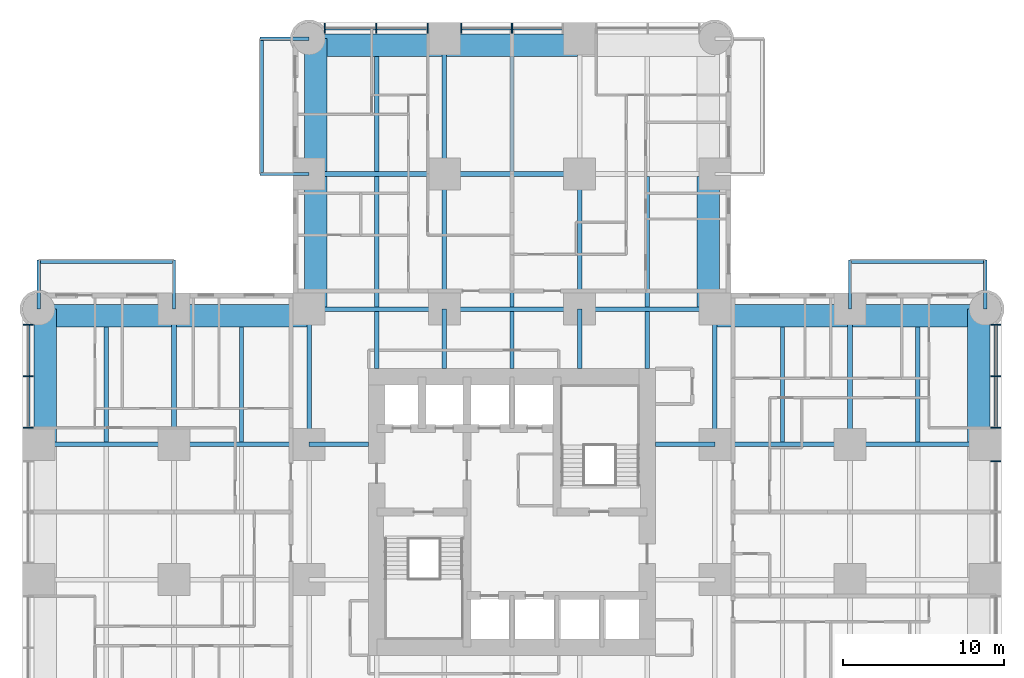
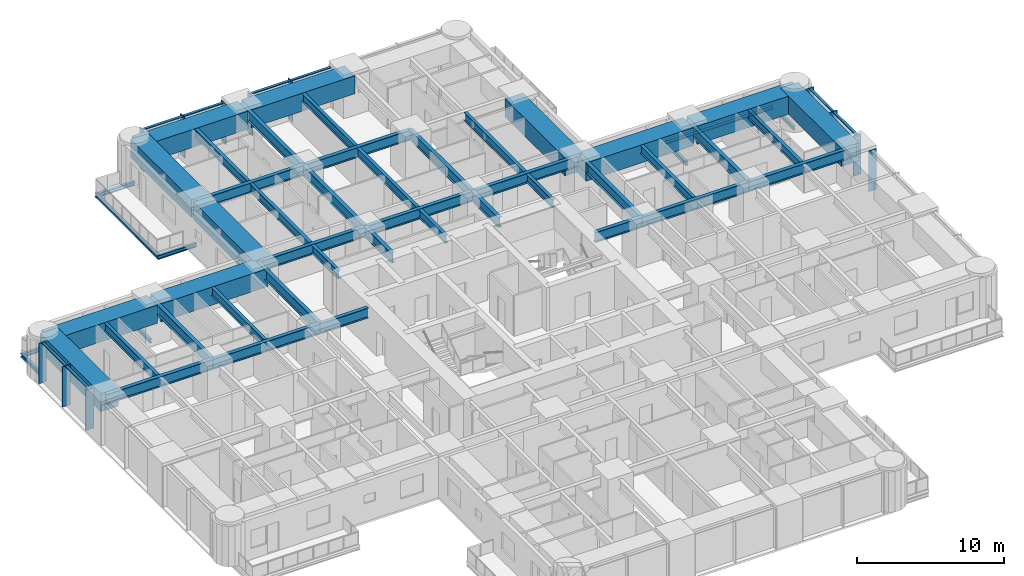
# One storey, part 4 of 17: 52 beams, 20 members, 3 elements without a shape of their own.
"""IFC4 building model written with IfcOpenShell, lengths in metres."""

from ifc_helpers import new_model, si_unit, direction, frame, origin, origin_2d, place, context, subcontext, project, spatial, rectangle, i_section, extrude, material, material_profile, profile_set, type_object, element, aggregate, save


model = new_model("IFC4")

# Units and contexts
model_context = context("Model", 3, precision=1e-05, world=origin(), true_north=direction((0.0, 1.0)))
body_context = subcontext(model_context, "Body", "Model", "MODEL_VIEW")
ifc_project = project(units=[si_unit("LENGTHUNIT", "METRE"), si_unit("AREAUNIT", "SQUARE_METRE"), si_unit("VOLUMEUNIT", "CUBIC_METRE"), si_unit("PLANEANGLEUNIT", "RADIAN"), si_unit("MASSUNIT", "GRAM", prefix="KILO")], contexts=[model_context])

# Site, building, storey
site_placement = place(None, origin())
site = spatial("IfcSite", under=ifc_project, at=site_placement, CompositionType="ELEMENT")
building_placement = place(site_placement, origin())
building = spatial("IfcBuilding", under=site, at=building_placement, Name="Torre Alcanfor", CompositionType="ELEMENT")
storey_placement = place(building_placement, frame((0.0, 0.0, 99.300048828125)))
storey = spatial("IfcBuildingStorey", under=building, at=storey_placement, Name="L25", CompositionType="ELEMENT", Elevation=99.300048828125)

# Beams
ifc_material_1 = material(Name="Steel ASTM A992 Grade 50", Category="steel")
ifc_material_profile_1 = material_profile(ifc_material_1, i_section(OverallWidth=0.205322265625, OverallDepth=0.309814453125, WebThickness=0.00927734375, FlangeThickness=0.016357421875, at=origin_2d()), Name="W12x50")
ifc_profile_set_1 = profile_set([ifc_material_profile_1], Name="Steel ASTM A992 Grade 50")
beam_type_1 = type_object("IfcBeamType", Name="Balcony cantilever beam W12x50", PredefinedType="BEAM", material=ifc_profile_set_1)
for number, where, z_axis, x_axis, name in (
    (1, (16.800048828125, 50.39990234375, -0.35498046875), (-1.0, 0.0, 0.0), (0.0, -1.0, 0.0), "Balcony cantilever beam L25-N1 1"),
    (2, (16.800048828125, 58.800048828125, -0.35498046875), (-1.0, 0.0, 0.0), (0.0, -1.0, 0.0), "Balcony cantilever beam L25-N1 2"),
    (3, (50.39990234375, 42.0, -0.35498046875), (0.0, 1.0, 0.0), (-1.0, 0.0, 0.0), "Balcony cantilever beam L25-E1 1"),
    (4, (58.800048828125, 42.0, -0.35498046875), (0.0, 1.0, 0.0), (-1.0, 0.0, 0.0), "Balcony cantilever beam L25-E1 2"),
    (5, (8.39990234375, 42.0, -0.35498046875), (0.0, 1.0, 0.0), (-1.0, 0.0, 0.0), "Balcony cantilever beam L25-W2 1"),
    (6, (0.0, 42.0, -0.35498046875), (0.0, 1.0, 0.0), (-1.0, 0.0, 0.0), "Balcony cantilever beam L25-W2 2"),
):
    element("IfcBeam", number, at=place(storey_placement, frame(where, z_axis=z_axis, x_axis=x_axis)), inside=storey, type_object=beam_type_1, Name=name, PredefinedType="BEAM", context=body_context, shape_type="SweptSolid", body=[
        extrude(i_section(OverallWidth=0.205322265625, OverallDepth=0.309814453125, WebThickness=0.00927734375, FlangeThickness=0.016357421875, at=origin_2d()), origin(), (0.0, 0.0, 1.0), 3.050048828125),
    ])
ifc_material_2 = material(Name="Steel ASTM A992 Grade 50", Category="steel")
ifc_material_profile_2 = material_profile(ifc_material_2, i_section(OverallWidth=0.203369140625, OverallDepth=0.30224609375, WebThickness=0.007568359375, FlangeThickness=0.01318359375, at=origin_2d()), Name="W12x40")
ifc_profile_set_2 = profile_set([ifc_material_profile_2], Name="Steel ASTM A992 Grade 50")
beam_type_2 = type_object("IfcBeamType", Name="Balcony edge trimmer W12x40", PredefinedType="BEAM", material=ifc_profile_set_2)
for number, where, z_axis, x_axis, name in (
    (7, (13.851806640625, 50.39990234375, -0.35107421875), (0.0, 1.0, 0.0), (-1.0, 0.0, 0.0), "Balcony edge trimmer L25-N1"),
    (8, (50.39990234375, 44.9482421875, -0.35107421875), (1.0, 0.0, 0.0), (0.0, 1.0, 0.0), "Balcony edge trimmer L25-E1"),
):
    element("IfcBeam", number, at=place(storey_placement, frame(where, z_axis=z_axis, x_axis=x_axis)), inside=storey, type_object=beam_type_2, Name=name, PredefinedType="BEAM", context=body_context, shape_type="SweptSolid", body=[
        extrude(i_section(OverallWidth=0.203369140625, OverallDepth=0.30224609375, WebThickness=0.007568359375, FlangeThickness=0.01318359375, at=origin_2d()), origin(), (0.0, 0.0, 1.0), 8.400146484375),
    ])
beam_1_placement = place(storey_placement, frame((8.39990234375, 44.9482421875, -0.35107421875), z_axis=(-1.0, 0.0, 0.0), x_axis=(0.0, -1.0, 0.0)))
element("IfcBeam", 9, at=beam_1_placement, inside=storey, type_object=beam_type_2, Name="Balcony edge trimmer L25-W2", PredefinedType="BEAM", context=body_context, shape_type="SweptSolid", body=[
    extrude(i_section(OverallWidth=0.203369140625, OverallDepth=0.30224609375, WebThickness=0.007568359375, FlangeThickness=0.01318359375, at=origin_2d()), origin(), (0.0, 0.0, 1.0), 8.39990234375),
])

# Curtain wall, members
ifc_material_3 = material(Name="Aluminium and glass", Category="aluminium")
curtain_wall_type = type_object("IfcCurtainWallType", Name="CW-A unitised apartment glazing with vertical FIN", PredefinedType="NOTDEFINED", material=ifc_material_3)
curtain_wall_1_placement = place(storey_placement, origin())
curtain_wall_1 = element("IfcCurtainWall", 10, at=curtain_wall_1_placement, inside=storey, type_object=curtain_wall_type, Name="Curtain wall CW-A L25 2", PredefinedType="NOTDEFINED")
ifc_material_4 = material(Name="Bronze anodised aluminium", Category="aluminium")
ifc_material_profile_3 = material_profile(ifc_material_4, rectangle(XDim=0.60009765625, YDim=0.06494140625, at=origin_2d()), Name="CW-A mullion 65x600")
ifc_profile_set_3 = profile_set([ifc_material_profile_3], Name="Bronze anodised aluminium")
member_type_1 = type_object("IfcMemberType", Name="CW-A mullion with vertical FIN 65x600", PredefinedType="MULLION", material=ifc_profile_set_3)
member_1_placement = place(storey_placement, frame((-0.64990234375, 41.025390625, 0.0), z_axis=(0.0, 0.0, 1.0), x_axis=(1.0, 0.0, 0.0)))
member_1 = element("IfcMember", 11, at=member_1_placement, type_object=member_type_1, Name="CW-A mullion 1.1", PredefinedType="MULLION", context=body_context, shape_type="SweptSolid", body=[
    extrude(rectangle(XDim=0.60009765625, YDim=0.06494140625, at=origin_2d()), origin(), (0.0, 0.0, 1.0), 3.349853515625),
])
member_2_placement = place(storey_placement, frame((-0.64990234375, 37.83154296875, 0.0), z_axis=(0.0, 0.0, 1.0), x_axis=(1.0, 0.0, 0.0)))
member_2 = element("IfcMember", 12, at=member_2_placement, type_object=member_type_1, Name="CW-A mullion 1.2", PredefinedType="MULLION", context=body_context, shape_type="SweptSolid", body=[
    extrude(rectangle(XDim=0.60009765625, YDim=0.06494140625, at=origin_2d()), origin(), (0.0, 0.0, 1.0), 3.349853515625),
])
member_3_placement = place(storey_placement, frame((-0.64990234375, 34.637451171875, 0.0), z_axis=(0.0, 0.0, 1.0), x_axis=(1.0, 0.0, 0.0)))
member_3 = element("IfcMember", 13, at=member_3_placement, type_object=member_type_1, Name="CW-A mullion 1.3", PredefinedType="MULLION", context=body_context, shape_type="SweptSolid", body=[
    extrude(rectangle(XDim=0.60009765625, YDim=0.06494140625, at=origin_2d()), origin(), (0.0, 0.0, 1.0), 3.349853515625),
])

curtain_wall_2_placement = place(storey_placement, origin())
curtain_wall_2 = element("IfcCurtainWall", 14, at=curtain_wall_2_placement, inside=storey, type_object=curtain_wall_type, Name="Curtain wall CW-A L25 8", PredefinedType="NOTDEFINED")
member_4_placement = place(storey_placement, frame((59.449951171875, 32.5625, 0.0), z_axis=(0.0, 0.0, 1.0), x_axis=(-1.0, 0.0, 0.0)))
member_4 = element("IfcMember", 15, at=member_4_placement, type_object=member_type_1, Name="CW-A mullion 2.3", PredefinedType="MULLION", context=body_context, shape_type="SweptSolid", body=[
    extrude(rectangle(XDim=0.60009765625, YDim=0.06494140625, at=origin_2d()), origin(), (0.0, 0.0, 1.0), 3.349853515625),
])
member_5_placement = place(storey_placement, frame((59.449951171875, 34.637451171875, 0.0), z_axis=(0.0, 0.0, 1.0), x_axis=(-1.0, 0.0, 0.0)))
member_5 = element("IfcMember", 16, at=member_5_placement, type_object=member_type_1, Name="CW-A mullion 3.1", PredefinedType="MULLION", context=body_context, shape_type="SweptSolid", body=[
    extrude(rectangle(XDim=0.60009765625, YDim=0.06494140625, at=origin_2d()), origin(), (0.0, 0.0, 1.0), 3.349853515625),
])
member_6_placement = place(storey_placement, frame((59.449951171875, 37.83154296875, 0.0), z_axis=(0.0, 0.0, 1.0), x_axis=(-1.0, 0.0, 0.0)))
member_6 = element("IfcMember", 17, at=member_6_placement, type_object=member_type_1, Name="CW-A mullion 3.2", PredefinedType="MULLION", context=body_context, shape_type="SweptSolid", body=[
    extrude(rectangle(XDim=0.60009765625, YDim=0.06494140625, at=origin_2d()), origin(), (0.0, 0.0, 1.0), 3.349853515625),
])
member_7_placement = place(storey_placement, frame((59.449951171875, 41.025390625, 0.0), z_axis=(0.0, 0.0, 1.0), x_axis=(-1.0, 0.0, 0.0)))
member_7 = element("IfcMember", 18, at=member_7_placement, type_object=member_type_1, Name="CW-A mullion 3.3", PredefinedType="MULLION", context=body_context, shape_type="SweptSolid", body=[
    extrude(rectangle(XDim=0.60009765625, YDim=0.06494140625, at=origin_2d()), origin(), (0.0, 0.0, 1.0), 3.349853515625),
])

curtain_wall_3_placement = place(storey_placement, origin())
curtain_wall_3 = element("IfcCurtainWall", 19, at=curtain_wall_3_placement, inside=storey, type_object=curtain_wall_type, Name="Curtain wall CW-A L25 11", PredefinedType="NOTDEFINED")
member_8_placement = place(storey_placement, frame((29.39990234375, 59.449951171875, 0.0), z_axis=(0.0, 0.0, 1.0), x_axis=(0.0, -1.0, 0.0)))
member_8 = element("IfcMember", 20, at=member_8_placement, type_object=member_type_1, Name="CW-A mullion 2.2", PredefinedType="MULLION", context=body_context, shape_type="SweptSolid", body=[
    extrude(rectangle(XDim=0.60009765625, YDim=0.06494140625, at=origin_2d()), origin(), (0.0, 0.0, 1.0), 3.349853515625),
])
member_9_placement = place(storey_placement, frame((26.237548828125, 59.449951171875, 0.0), z_axis=(0.0, 0.0, 1.0), x_axis=(0.0, -1.0, 0.0)))
member_9 = element("IfcMember", 21, at=member_9_placement, type_object=member_type_1, Name="CW-A mullion 2.3", PredefinedType="MULLION", context=body_context, shape_type="SweptSolid", body=[
    extrude(rectangle(XDim=0.60009765625, YDim=0.06494140625, at=origin_2d()), origin(), (0.0, 0.0, 1.0), 3.349853515625),
])
member_10_placement = place(storey_placement, frame((24.16259765625, 59.449951171875, 0.0), z_axis=(0.0, 0.0, 1.0), x_axis=(0.0, -1.0, 0.0)))
member_10 = element("IfcMember", 22, at=member_10_placement, type_object=member_type_1, Name="CW-A mullion 3.1", PredefinedType="MULLION", context=body_context, shape_type="SweptSolid", body=[
    extrude(rectangle(XDim=0.60009765625, YDim=0.06494140625, at=origin_2d()), origin(), (0.0, 0.0, 1.0), 3.349853515625),
])
member_11_placement = place(storey_placement, frame((20.968505859375, 59.449951171875, 0.0), z_axis=(0.0, 0.0, 1.0), x_axis=(0.0, -1.0, 0.0)))
member_11 = element("IfcMember", 23, at=member_11_placement, type_object=member_type_1, Name="CW-A mullion 3.2", PredefinedType="MULLION", context=body_context, shape_type="SweptSolid", body=[
    extrude(rectangle(XDim=0.60009765625, YDim=0.06494140625, at=origin_2d()), origin(), (0.0, 0.0, 1.0), 3.349853515625),
])
member_12_placement = place(storey_placement, frame((17.7744140625, 59.449951171875, 0.0), z_axis=(0.0, 0.0, 1.0), x_axis=(0.0, -1.0, 0.0)))
member_12 = element("IfcMember", 24, at=member_12_placement, type_object=member_type_1, Name="CW-A mullion 3.3", PredefinedType="MULLION", context=body_context, shape_type="SweptSolid", body=[
    extrude(rectangle(XDim=0.60009765625, YDim=0.06494140625, at=origin_2d()), origin(), (0.0, 0.0, 1.0), 3.349853515625),
])

# Member
ifc_material_5 = material(Name="Extruded aluminium", Category="aluminium")
ifc_material_profile_4 = material_profile(ifc_material_5, rectangle(XDim=0.199951171875, YDim=0.06494140625, at=origin_2d()), Name="CW-A transom 200x65")
ifc_profile_set_4 = profile_set([ifc_material_profile_4], Name="Extruded aluminium")
member_type_2 = type_object("IfcMemberType", Name="CW-A transom 65x200", PredefinedType="USERDEFINED", material=ifc_profile_set_4)
member_13_placement = place(storey_placement, frame((-0.64990234375, 40.992919921875, 3.3173828125), z_axis=(0.0, -1.0, 0.0), x_axis=(1.0, 0.0, 0.0)))
member_13 = element("IfcMember", 25, at=member_13_placement, type_object=member_type_2, Name="CW-A transom 1.1.2", ObjectType="TRANSOM", PredefinedType="USERDEFINED", context=body_context, shape_type="SweptSolid", body=[
    extrude(rectangle(XDim=0.199951171875, YDim=0.06494140625, at=origin_2d()), origin(), (0.0, 0.0, 1.0), 3.12890625),
])

member_14_placement = place(storey_placement, frame((-0.64990234375, 37.799072265625, 3.3173828125), z_axis=(0.0, -1.0, 0.0), x_axis=(1.0, 0.0, 0.0)))
member_14 = element("IfcMember", 26, at=member_14_placement, type_object=member_type_2, Name="CW-A transom 1.2.2", ObjectType="TRANSOM", PredefinedType="USERDEFINED", context=body_context, shape_type="SweptSolid", body=[
    extrude(rectangle(XDim=0.199951171875, YDim=0.06494140625, at=origin_2d()), origin(), (0.0, 0.0, 1.0), 3.129150390625),
])

aggregate(curtain_wall_1, [member_1, member_2, member_3, member_13, member_14])

member_15_placement = place(storey_placement, frame((59.449951171875, 34.669921875, 3.3173828125), z_axis=(0.0, 1.0, 0.0), x_axis=(-1.0, 0.0, 0.0)))
member_15 = element("IfcMember", 27, at=member_15_placement, type_object=member_type_2, Name="CW-A transom 3.1.2", ObjectType="TRANSOM", PredefinedType="USERDEFINED", context=body_context, shape_type="SweptSolid", body=[
    extrude(rectangle(XDim=0.199951171875, YDim=0.06494140625, at=origin_2d()), origin(), (0.0, 0.0, 1.0), 3.129150390625),
])

member_16_placement = place(storey_placement, frame((59.449951171875, 37.864013671875, 3.3173828125), z_axis=(0.0, 1.0, 0.0), x_axis=(-1.0, 0.0, 0.0)))
member_16 = element("IfcMember", 28, at=member_16_placement, type_object=member_type_2, Name="CW-A transom 3.2.2", ObjectType="TRANSOM", PredefinedType="USERDEFINED", context=body_context, shape_type="SweptSolid", body=[
    extrude(rectangle(XDim=0.199951171875, YDim=0.06494140625, at=origin_2d()), origin(), (0.0, 0.0, 1.0), 3.12890625),
])

aggregate(curtain_wall_2, [member_4, member_5, member_6, member_7, member_15, member_16])

member_17_placement = place(storey_placement, frame((32.530029296875, 59.449951171875, 3.3173828125), z_axis=(-1.0, 0.0, 0.0), x_axis=(0.0, -1.0, 0.0)))
member_17 = element("IfcMember", 29, at=member_17_placement, type_object=member_type_2, Name="CW-A transom 2.1.2", ObjectType="TRANSOM", PredefinedType="USERDEFINED", context=body_context, shape_type="SweptSolid", body=[
    extrude(rectangle(XDim=0.199951171875, YDim=0.06494140625, at=origin_2d()), origin(), (0.0, 0.0, 1.0), 3.097412109375),
])

member_18_placement = place(storey_placement, frame((29.367431640625, 59.449951171875, 3.3173828125), z_axis=(-1.0, 0.0, 0.0), x_axis=(0.0, -1.0, 0.0)))
member_18 = element("IfcMember", 30, at=member_18_placement, type_object=member_type_2, Name="CW-A transom 2.2.2", ObjectType="TRANSOM", PredefinedType="USERDEFINED", context=body_context, shape_type="SweptSolid", body=[
    extrude(rectangle(XDim=0.199951171875, YDim=0.06494140625, at=origin_2d()), origin(), (0.0, 0.0, 1.0), 3.097412109375),
])

member_19_placement = place(storey_placement, frame((24.1298828125, 59.449951171875, 3.3173828125), z_axis=(-1.0, 0.0, 0.0), x_axis=(0.0, -1.0, 0.0)))
member_19 = element("IfcMember", 31, at=member_19_placement, type_object=member_type_2, Name="CW-A transom 3.1.2", ObjectType="TRANSOM", PredefinedType="USERDEFINED", context=body_context, shape_type="SweptSolid", body=[
    extrude(rectangle(XDim=0.199951171875, YDim=0.06494140625, at=origin_2d()), origin(), (0.0, 0.0, 1.0), 3.12890625),
])

member_20_placement = place(storey_placement, frame((20.93603515625, 59.449951171875, 3.3173828125), z_axis=(-1.0, 0.0, 0.0), x_axis=(0.0, -1.0, 0.0)))
member_20 = element("IfcMember", 32, at=member_20_placement, type_object=member_type_2, Name="CW-A transom 3.2.2", ObjectType="TRANSOM", PredefinedType="USERDEFINED", context=body_context, shape_type="SweptSolid", body=[
    extrude(rectangle(XDim=0.199951171875, YDim=0.06494140625, at=origin_2d()), origin(), (0.0, 0.0, 1.0), 3.129150390625),
])

aggregate(curtain_wall_3, [member_8, member_9, member_17, member_18, member_10, member_11, member_12, member_19, member_20])

# Beams
ifc_material_6 = material(Name="Steel ASTM A992 Grade 50", Category="steel")
ifc_material_profile_5 = material_profile(ifc_material_6, i_section(OverallWidth=0.2919921875, OverallDepth=0.8408203125, WebThickness=0.0146484375, FlangeThickness=0.021728515625, at=origin_2d()), Name="W33x130")
ifc_profile_set_5 = profile_set([ifc_material_profile_5], Name="Steel ASTM A992 Grade 50")
beam_type_3 = type_object("IfcBeamType", Name="Girder W33x130", PredefinedType="BEAM", material=ifc_profile_set_5)
beam_2_placement = place(storey_placement, frame((0.0, 33.60009765625, 2.9296875), z_axis=(1.0, 0.0, 0.0), x_axis=(0.0, 1.0, 0.0)))
element("IfcBeam", 33, at=beam_2_placement, inside=storey, type_object=beam_type_3, Name="Beam 1G-2G under L26", PredefinedType="BEAM", context=body_context, shape_type="SweptSolid", body=[
    extrude(i_section(OverallWidth=0.2919921875, OverallDepth=0.8408203125, WebThickness=0.0146484375, FlangeThickness=0.021728515625, at=origin_2d()), origin(), (0.0, 0.0, 1.0), 8.39990234375),
])
beam_3_placement = place(storey_placement, frame((8.39990234375, 33.60009765625, 2.9296875), z_axis=(1.0, 0.0, 0.0), x_axis=(0.0, 1.0, 0.0)))
element("IfcBeam", 34, at=beam_3_placement, inside=storey, type_object=beam_type_3, Name="Beam 2G-3G under L26", PredefinedType="BEAM", context=body_context, shape_type="SweptSolid", body=[
    extrude(i_section(OverallWidth=0.2919921875, OverallDepth=0.8408203125, WebThickness=0.0146484375, FlangeThickness=0.021728515625, at=origin_2d()), origin(), (0.0, 0.0, 1.0), 8.400146484375),
])
beam_4_placement = place(storey_placement, frame((42.0, 33.60009765625, 2.9296875), z_axis=(1.0, 0.0, 0.0), x_axis=(0.0, 1.0, 0.0)))
element("IfcBeam", 35, at=beam_4_placement, inside=storey, type_object=beam_type_3, Name="Beam 6G-7G under L26", PredefinedType="BEAM", context=body_context, shape_type="SweptSolid", body=[
    extrude(i_section(OverallWidth=0.2919921875, OverallDepth=0.8408203125, WebThickness=0.0146484375, FlangeThickness=0.021728515625, at=origin_2d()), origin(), (0.0, 0.0, 1.0), 8.39990234375),
])
beam_5_placement = place(storey_placement, frame((50.39990234375, 33.60009765625, 2.9296875), z_axis=(1.0, 0.0, 0.0), x_axis=(0.0, 1.0, 0.0)))
element("IfcBeam", 36, at=beam_5_placement, inside=storey, type_object=beam_type_3, Name="Beam 7G-8G under L26", PredefinedType="BEAM", context=body_context, shape_type="SweptSolid", body=[
    extrude(i_section(OverallWidth=0.2919921875, OverallDepth=0.8408203125, WebThickness=0.0146484375, FlangeThickness=0.021728515625, at=origin_2d()), origin(), (0.0, 0.0, 1.0), 8.400146484375),
])
beam_6_placement = place(storey_placement, frame((16.800048828125, 42.0, 2.9296875), z_axis=(1.0, 0.0, 0.0), x_axis=(0.0, 1.0, 0.0)))
element("IfcBeam", 37, at=beam_6_placement, inside=storey, type_object=beam_type_3, Name="Beam 3H-4H under L26", PredefinedType="BEAM", context=body_context, shape_type="SweptSolid", body=[
    extrude(i_section(OverallWidth=0.2919921875, OverallDepth=0.8408203125, WebThickness=0.0146484375, FlangeThickness=0.021728515625, at=origin_2d()), origin(), (0.0, 0.0, 1.0), 8.39990234375),
])
beam_7_placement = place(storey_placement, frame((25.199951171875, 42.0, 2.9296875), z_axis=(1.0, 0.0, 0.0), x_axis=(0.0, 1.0, 0.0)))
element("IfcBeam", 38, at=beam_7_placement, inside=storey, type_object=beam_type_3, Name="Beam 4H-5H under L26", PredefinedType="BEAM", context=body_context, shape_type="SweptSolid", body=[
    extrude(i_section(OverallWidth=0.2919921875, OverallDepth=0.8408203125, WebThickness=0.0146484375, FlangeThickness=0.021728515625, at=origin_2d()), origin(), (0.0, 0.0, 1.0), 8.400146484375),
])
for number, where, z_axis, x_axis, name in (
    (39, (33.60009765625, 42.0, 2.9296875), (1.0, 0.0, 0.0), (0.0, 1.0, 0.0), "Beam 5H-6H under L26"),
    (40, (16.800048828125, 50.39990234375, 2.9296875), (1.0, 0.0, 0.0), (0.0, 1.0, 0.0), "Beam 3J-4J under L26"),
):
    element("IfcBeam", number, at=place(storey_placement, frame(where, z_axis=z_axis, x_axis=x_axis)), inside=storey, type_object=beam_type_3, Name=name, PredefinedType="BEAM", context=body_context, shape_type="SweptSolid", body=[
        extrude(i_section(OverallWidth=0.2919921875, OverallDepth=0.8408203125, WebThickness=0.0146484375, FlangeThickness=0.021728515625, at=origin_2d()), origin(), (0.0, 0.0, 1.0), 8.39990234375),
    ])
beam_8_placement = place(storey_placement, frame((25.199951171875, 50.39990234375, 2.9296875), z_axis=(1.0, 0.0, 0.0), x_axis=(0.0, 1.0, 0.0)))
element("IfcBeam", 41, at=beam_8_placement, inside=storey, type_object=beam_type_3, Name="Beam 4J-5J under L26", PredefinedType="BEAM", context=body_context, shape_type="SweptSolid", body=[
    extrude(i_section(OverallWidth=0.2919921875, OverallDepth=0.8408203125, WebThickness=0.0146484375, FlangeThickness=0.021728515625, at=origin_2d()), origin(), (0.0, 0.0, 1.0), 8.400146484375),
])
for number, where, z_axis, x_axis, name in (
    (42, (8.39990234375, 33.60009765625, 2.9296875), (0.0, 1.0, 0.0), (-1.0, 0.0, 0.0), "Beam 2G-2H under L26"),
    (43, (16.800048828125, 33.60009765625, 2.9296875), (0.0, 1.0, 0.0), (-1.0, 0.0, 0.0), "Beam 3G-3H under L26"),
    (44, (25.199951171875, 42.0, 2.9296875), (0.0, 1.0, 0.0), (-1.0, 0.0, 0.0), "Beam 4H-4J under L26"),
):
    element("IfcBeam", number, at=place(storey_placement, frame(where, z_axis=z_axis, x_axis=x_axis)), inside=storey, type_object=beam_type_3, Name=name, PredefinedType="BEAM", context=body_context, shape_type="SweptSolid", body=[
        extrude(i_section(OverallWidth=0.2919921875, OverallDepth=0.8408203125, WebThickness=0.0146484375, FlangeThickness=0.021728515625, at=origin_2d()), origin(), (0.0, 0.0, 1.0), 8.39990234375),
    ])
beam_9_placement = place(storey_placement, frame((25.199951171875, 50.39990234375, 2.9296875), z_axis=(0.0, 1.0, 0.0), x_axis=(-1.0, 0.0, 0.0)))
element("IfcBeam", 45, at=beam_9_placement, inside=storey, type_object=beam_type_3, Name="Beam 4J-4K under L26", PredefinedType="BEAM", context=body_context, shape_type="SweptSolid", body=[
    extrude(i_section(OverallWidth=0.2919921875, OverallDepth=0.8408203125, WebThickness=0.0146484375, FlangeThickness=0.021728515625, at=origin_2d()), origin(), (0.0, 0.0, 1.0), 8.400146484375),
])
for number, where, z_axis, x_axis, name in (
    (46, (33.60009765625, 42.0, 2.9296875), (0.0, 1.0, 0.0), (-1.0, 0.0, 0.0), "Beam 5H-5J under L26"),
    (47, (42.0, 33.60009765625, 2.9296875), (0.0, 1.0, 0.0), (-1.0, 0.0, 0.0), "Beam 6G-6H under L26"),
    (48, (50.39990234375, 33.60009765625, 2.9296875), (0.0, 1.0, 0.0), (-1.0, 0.0, 0.0), "Beam 7G-7H under L26"),
):
    element("IfcBeam", number, at=place(storey_placement, frame(where, z_axis=z_axis, x_axis=x_axis)), inside=storey, type_object=beam_type_3, Name=name, PredefinedType="BEAM", context=body_context, shape_type="SweptSolid", body=[
        extrude(i_section(OverallWidth=0.2919921875, OverallDepth=0.8408203125, WebThickness=0.0146484375, FlangeThickness=0.021728515625, at=origin_2d()), origin(), (0.0, 0.0, 1.0), 8.39990234375),
    ])
ifc_material_7 = material(Name="Steel ASTM A992 Grade 50", Category="steel")
ifc_material_profile_6 = material_profile(ifc_material_7, i_section(OverallWidth=0.2919921875, OverallDepth=0.8408203125, WebThickness=0.0146484375, FlangeThickness=0.021728515625, at=origin_2d()), Name="W33x130")
ifc_profile_set_6 = profile_set([ifc_material_profile_6], Name="Steel ASTM A992 Grade 50")
beam_type_4 = type_object("IfcBeamType", Name="Girder, part bay W33x130", PredefinedType="BEAM", material=ifc_profile_set_6)
for number, where, z_axis, x_axis, name in (
    (49, (25.199951171875, 42.0, 2.9296875), (0.0, -1.0, 0.0), (1.0, 0.0, 0.0), "Beam 4H-438_3 under L26"),
    (50, (33.60009765625, 42.0, 2.9296875), (0.0, -1.0, 0.0), (1.0, 0.0, 0.0), "Beam 5H-538_3 under L26"),
    (51, (16.800048828125, 33.60009765625, 2.9296875), (1.0, 0.0, 0.0), (0.0, 1.0, 0.0), "Beam 3G-20_5G under L26"),
    (52, (42.0, 33.60009765625, 2.9296875), (-1.0, 0.0, 0.0), (0.0, -1.0, 0.0), "Beam 6G-38_3G under L26"),
):
    element("IfcBeam", number, at=place(storey_placement, frame(where, z_axis=z_axis, x_axis=x_axis)), inside=storey, type_object=beam_type_4, Name=name, PredefinedType="BEAM", context=body_context, shape_type="SweptSolid", body=[
        extrude(i_section(OverallWidth=0.2919921875, OverallDepth=0.8408203125, WebThickness=0.0146484375, FlangeThickness=0.021728515625, at=origin_2d()), origin(), (0.0, 0.0, 1.0), 3.699951171875),
    ])
ifc_material_8 = material(Name="Concrete f'c 70 MPa", Category="concrete")
ifc_material_profile_7 = material_profile(ifc_material_8, rectangle(XDim=1.39990234375, YDim=1.5, at=origin_2d()), Name="1400x1500")
ifc_profile_set_7 = profile_set([ifc_material_profile_7], Name="Concrete f'c 70 MPa")
beam_type_5 = type_object("IfcBeamType", Name="RC perimeter beam 1400x1500", PredefinedType="BEAM", material=ifc_profile_set_7)
beam_10_placement = place(storey_placement, frame((0.0, 41.60009765625, 2.599853515625), z_axis=(1.0, 0.0, 0.0), x_axis=(0.0, 1.0, 0.0)))
element("IfcBeam", 53, at=beam_10_placement, inside=storey, type_object=beam_type_5, Name="Beam 1H-2H under L26", PredefinedType="BEAM", context=body_context, shape_type="SweptSolid", body=[
    extrude(rectangle(XDim=1.39990234375, YDim=1.5, at=origin_2d()), origin(), (0.0, 0.0, 1.0), 8.25390625),
])
beam_11_placement = place(storey_placement, frame((8.5458984375, 41.60009765625, 2.599853515625), z_axis=(1.0, 0.0, 0.0), x_axis=(0.0, 1.0, 0.0)))
element("IfcBeam", 54, at=beam_11_placement, inside=storey, type_object=beam_type_5, Name="Beam 2H-3H under L26", PredefinedType="BEAM", context=body_context, shape_type="SweptSolid", body=[
    extrude(rectangle(XDim=1.39990234375, YDim=1.5, at=origin_2d()), origin(), (0.0, 0.0, 1.0), 8.400146484375),
])
beam_12_placement = place(storey_placement, frame((41.85400390625, 41.60009765625, 2.599853515625), z_axis=(1.0, 0.0, 0.0), x_axis=(0.0, 1.0, 0.0)))
element("IfcBeam", 55, at=beam_12_placement, inside=storey, type_object=beam_type_5, Name="Beam 6H-7H under L26", PredefinedType="BEAM", context=body_context, shape_type="SweptSolid", body=[
    extrude(rectangle(XDim=1.39990234375, YDim=1.5, at=origin_2d()), origin(), (0.0, 0.0, 1.0), 8.39990234375),
])
beam_13_placement = place(storey_placement, frame((50.5458984375, 41.60009765625, 2.599853515625), z_axis=(1.0, 0.0, 0.0), x_axis=(0.0, 1.0, 0.0)))
element("IfcBeam", 56, at=beam_13_placement, inside=storey, type_object=beam_type_5, Name="Beam 7H-8H under L26", PredefinedType="BEAM", context=body_context, shape_type="SweptSolid", body=[
    extrude(rectangle(XDim=1.39990234375, YDim=1.5, at=origin_2d()), origin(), (0.0, 0.0, 1.0), 8.254150390625),
])
beam_14_placement = place(storey_placement, frame((16.800048828125, 58.39990234375, 2.599853515625), z_axis=(1.0, 0.0, 0.0), x_axis=(0.0, 1.0, 0.0)))
element("IfcBeam", 57, at=beam_14_placement, inside=storey, type_object=beam_type_5, Name="Beam 3K-4K under L26", PredefinedType="BEAM", context=body_context, shape_type="SweptSolid", body=[
    extrude(rectangle(XDim=1.39990234375, YDim=1.5, at=origin_2d()), origin(), (0.0, 0.0, 1.0), 8.25390625),
])
beam_15_placement = place(storey_placement, frame((25.345947265625, 58.39990234375, 2.599853515625), z_axis=(1.0, 0.0, 0.0), x_axis=(0.0, 1.0, 0.0)))
element("IfcBeam", 58, at=beam_15_placement, inside=storey, type_object=beam_type_5, Name="Beam 4K-5K under L26", PredefinedType="BEAM", context=body_context, shape_type="SweptSolid", body=[
    extrude(rectangle(XDim=1.39990234375, YDim=1.5, at=origin_2d()), origin(), (0.0, 0.0, 1.0), 8.108154296875),
])
beam_16_placement = place(storey_placement, frame((0.39990234375, 33.74609375, 2.599853515625), z_axis=(0.0, 1.0, 0.0), x_axis=(-1.0, 0.0, 0.0)))
element("IfcBeam", 59, at=beam_16_placement, inside=storey, type_object=beam_type_5, Name="Beam 1G-1H under L26", PredefinedType="BEAM", context=body_context, shape_type="SweptSolid", body=[
    extrude(rectangle(XDim=1.39990234375, YDim=1.5, at=origin_2d()), origin(), (0.0, 0.0, 1.0), 8.25390625),
])
beam_17_placement = place(storey_placement, frame((17.199951171875, 42.14599609375, 2.599853515625), z_axis=(0.0, 1.0, 0.0), x_axis=(-1.0, 0.0, 0.0)))
element("IfcBeam", 60, at=beam_17_placement, inside=storey, type_object=beam_type_5, Name="Beam 3H-3J under L26", PredefinedType="BEAM", context=body_context, shape_type="SweptSolid", body=[
    extrude(rectangle(XDim=1.39990234375, YDim=1.5, at=origin_2d()), origin(), (0.0, 0.0, 1.0), 8.10791015625),
])
beam_18_placement = place(storey_placement, frame((17.199951171875, 50.5458984375, 2.599853515625), z_axis=(0.0, 1.0, 0.0), x_axis=(-1.0, 0.0, 0.0)))
element("IfcBeam", 61, at=beam_18_placement, inside=storey, type_object=beam_type_5, Name="Beam 3J-3K under L26", PredefinedType="BEAM", context=body_context, shape_type="SweptSolid", body=[
    extrude(rectangle(XDim=1.39990234375, YDim=1.5, at=origin_2d()), origin(), (0.0, 0.0, 1.0), 8.254150390625),
])
beam_19_placement = place(storey_placement, frame((41.60009765625, 42.14599609375, 2.599853515625), z_axis=(0.0, 1.0, 0.0), x_axis=(-1.0, 0.0, 0.0)))
element("IfcBeam", 62, at=beam_19_placement, inside=storey, type_object=beam_type_5, Name="Beam 6H-6J under L26", PredefinedType="BEAM", context=body_context, shape_type="SweptSolid", body=[
    extrude(rectangle(XDim=1.39990234375, YDim=1.5, at=origin_2d()), origin(), (0.0, 0.0, 1.0), 8.10791015625),
])
beam_20_placement = place(storey_placement, frame((58.39990234375, 33.74609375, 2.599853515625), z_axis=(0.0, 1.0, 0.0), x_axis=(-1.0, 0.0, 0.0)))
element("IfcBeam", 63, at=beam_20_placement, inside=storey, type_object=beam_type_5, Name="Beam 8G-8H under L26", PredefinedType="BEAM", context=body_context, shape_type="SweptSolid", body=[
    extrude(rectangle(XDim=1.39990234375, YDim=1.5, at=origin_2d()), origin(), (0.0, 0.0, 1.0), 8.25390625),
])
ifc_material_9 = material(Name="Steel ASTM A992 Grade 50", Category="steel")
ifc_material_profile_8 = material_profile(ifc_material_9, i_section(OverallWidth=0.25390625, OverallDepth=0.683349609375, WebThickness=0.012451171875, FlangeThickness=0.01904296875, at=origin_2d()), Name="W27x94")
ifc_profile_set_8 = profile_set([ifc_material_profile_8], Name="Steel ASTM A992 Grade 50")
beam_type_6 = type_object("IfcBeamType", Name="Secondary beam W27x94", PredefinedType="BEAM", material=ifc_profile_set_8)
for number, where, z_axis, x_axis, name in (
    (64, (4.199951171875, 33.74609375, 3.00830078125), (0.0, 1.0, 0.0), (-1.0, 0.0, 0.0), "Beam 4_2G-4_2H under L26"),
    (65, (12.60009765625, 33.74609375, 3.00830078125), (0.0, 1.0, 0.0), (-1.0, 0.0, 0.0), "Beam 12_6G-12_6H under L26"),
):
    element("IfcBeam", number, at=place(storey_placement, frame(where, z_axis=z_axis, x_axis=x_axis)), inside=storey, type_object=beam_type_6, Name=name, PredefinedType="BEAM", context=body_context, shape_type="SweptSolid", body=[
        extrude(i_section(OverallWidth=0.25390625, OverallDepth=0.683349609375, WebThickness=0.012451171875, FlangeThickness=0.01904296875, at=origin_2d()), origin(), (0.0, 0.0, 1.0), 7.15380859375),
    ])
beam_21_placement = place(storey_placement, frame((21.0, 42.14599609375, 3.00830078125), z_axis=(0.0, 1.0, 0.0), x_axis=(-1.0, 0.0, 0.0)))
element("IfcBeam", 66, at=beam_21_placement, inside=storey, type_object=beam_type_6, Name="Beam 21H-21J under L26", PredefinedType="BEAM", context=body_context, shape_type="SweptSolid", body=[
    extrude(i_section(OverallWidth=0.25390625, OverallDepth=0.683349609375, WebThickness=0.012451171875, FlangeThickness=0.01904296875, at=origin_2d()), origin(), (0.0, 0.0, 1.0), 8.10791015625),
])
beam_22_placement = place(storey_placement, frame((21.0, 50.5458984375, 3.00830078125), z_axis=(0.0, 1.0, 0.0), x_axis=(-1.0, 0.0, 0.0)))
element("IfcBeam", 67, at=beam_22_placement, inside=storey, type_object=beam_type_6, Name="Beam 21J-21K under L26", PredefinedType="BEAM", context=body_context, shape_type="SweptSolid", body=[
    extrude(i_section(OverallWidth=0.25390625, OverallDepth=0.683349609375, WebThickness=0.012451171875, FlangeThickness=0.01904296875, at=origin_2d()), origin(), (0.0, 0.0, 1.0), 7.154052734375),
])
beam_23_placement = place(storey_placement, frame((29.39990234375, 42.14599609375, 3.00830078125), z_axis=(0.0, 1.0, 0.0), x_axis=(-1.0, 0.0, 0.0)))
element("IfcBeam", 68, at=beam_23_placement, inside=storey, type_object=beam_type_6, Name="Beam 29_4H-29_4J under L26", PredefinedType="BEAM", context=body_context, shape_type="SweptSolid", body=[
    extrude(i_section(OverallWidth=0.25390625, OverallDepth=0.683349609375, WebThickness=0.012451171875, FlangeThickness=0.01904296875, at=origin_2d()), origin(), (0.0, 0.0, 1.0), 8.10791015625),
])
beam_24_placement = place(storey_placement, frame((29.39990234375, 50.5458984375, 3.00830078125), z_axis=(0.0, 1.0, 0.0), x_axis=(-1.0, 0.0, 0.0)))
element("IfcBeam", 69, at=beam_24_placement, inside=storey, type_object=beam_type_6, Name="Beam 29_4J-29_4K under L26", PredefinedType="BEAM", context=body_context, shape_type="SweptSolid", body=[
    extrude(i_section(OverallWidth=0.25390625, OverallDepth=0.683349609375, WebThickness=0.012451171875, FlangeThickness=0.01904296875, at=origin_2d()), origin(), (0.0, 0.0, 1.0), 7.154052734375),
])
beam_25_placement = place(storey_placement, frame((37.800048828125, 42.14599609375, 3.00830078125), z_axis=(0.0, 1.0, 0.0), x_axis=(-1.0, 0.0, 0.0)))
element("IfcBeam", 70, at=beam_25_placement, inside=storey, type_object=beam_type_6, Name="Beam 37_8H-37_8J under L26", PredefinedType="BEAM", context=body_context, shape_type="SweptSolid", body=[
    extrude(i_section(OverallWidth=0.25390625, OverallDepth=0.683349609375, WebThickness=0.012451171875, FlangeThickness=0.01904296875, at=origin_2d()), origin(), (0.0, 0.0, 1.0), 8.10791015625),
])
for number, where, z_axis, x_axis, name in (
    (71, (46.199951171875, 33.74609375, 3.00830078125), (0.0, 1.0, 0.0), (-1.0, 0.0, 0.0), "Beam 46_2G-46_2H under L26"),
    (72, (54.60009765625, 33.74609375, 3.00830078125), (0.0, 1.0, 0.0), (-1.0, 0.0, 0.0), "Beam 54_6G-54_6H under L26"),
):
    element("IfcBeam", number, at=place(storey_placement, frame(where, z_axis=z_axis, x_axis=x_axis)), inside=storey, type_object=beam_type_6, Name=name, PredefinedType="BEAM", context=body_context, shape_type="SweptSolid", body=[
        extrude(i_section(OverallWidth=0.25390625, OverallDepth=0.683349609375, WebThickness=0.012451171875, FlangeThickness=0.01904296875, at=origin_2d()), origin(), (0.0, 0.0, 1.0), 7.15380859375),
    ])
ifc_material_10 = material(Name="Steel ASTM A992 Grade 50", Category="steel")
ifc_material_profile_9 = material_profile(ifc_material_10, i_section(OverallWidth=0.25390625, OverallDepth=0.683349609375, WebThickness=0.012451171875, FlangeThickness=0.01904296875, at=origin_2d()), Name="W27x94")
ifc_profile_set_9 = profile_set([ifc_material_profile_9], Name="Steel ASTM A992 Grade 50")
beam_type_7 = type_object("IfcBeamType", Name="Secondary beam, part bay W27x94", PredefinedType="BEAM", material=ifc_profile_set_9)
for number, where, z_axis, x_axis, name in (
    (73, (21.0, 38.300048828125, 3.00830078125), (0.0, 1.0, 0.0), (-1.0, 0.0, 0.0), "Beam 2138_3-21H under L26"),
    (74, (29.39990234375, 38.300048828125, 3.00830078125), (0.0, 1.0, 0.0), (-1.0, 0.0, 0.0), "Beam 29_438_3-29_4H under L26"),
    (75, (37.800048828125, 38.300048828125, 3.00830078125), (0.0, 1.0, 0.0), (-1.0, 0.0, 0.0), "Beam 37_838_3-37_8H under L26"),
):
    element("IfcBeam", number, at=place(storey_placement, frame(where, z_axis=z_axis, x_axis=x_axis)), inside=storey, type_object=beam_type_7, Name=name, PredefinedType="BEAM", context=body_context, shape_type="SweptSolid", body=[
        extrude(i_section(OverallWidth=0.25390625, OverallDepth=0.683349609375, WebThickness=0.012451171875, FlangeThickness=0.01904296875, at=origin_2d()), origin(), (0.0, 0.0, 1.0), 3.553955078125),
    ])

save(model, "model.ifc")
